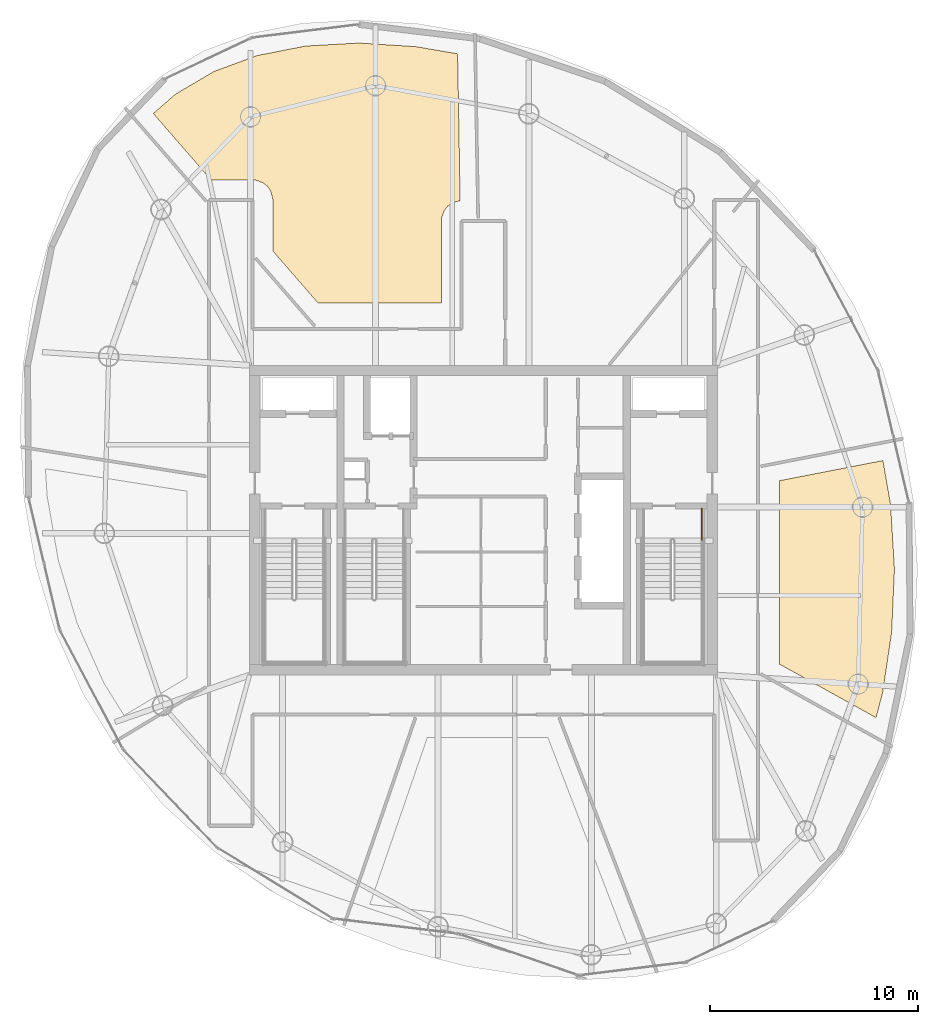
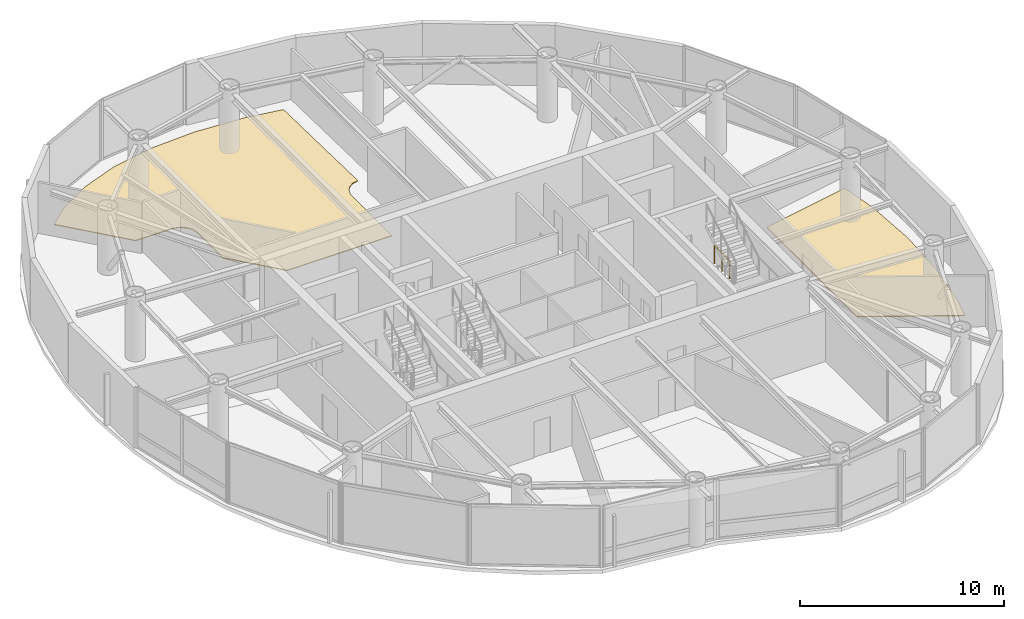
# One storey, part 21 of 21: 2 coverings, 1 railing.
"""IFC4 building model written with IfcOpenShell, lengths in metres."""

from ifc_helpers import new_model, si_unit, direction, frame, origin, origin_2d, place, context, subcontext, project, spatial, polyline, circle, outline, extrude, material, layer, layer_set, type_object, element, save


model = new_model("IFC4")

# Units and contexts
model_context = context("Model", 3, precision=1e-05, world=origin(), true_north=direction((0.0, 1.0)))
body_context = subcontext(model_context, "Body", "Model", "MODEL_VIEW")
ifc_project = project(units=[si_unit("LENGTHUNIT", "METRE"), si_unit("AREAUNIT", "SQUARE_METRE"), si_unit("VOLUMEUNIT", "CUBIC_METRE"), si_unit("PLANEANGLEUNIT", "RADIAN"), si_unit("MASSUNIT", "GRAM", prefix="KILO")], contexts=[model_context])

# Site, building, storey
site_placement = place(None, origin())
site = spatial("IfcSite", under=ifc_project, at=site_placement, CompositionType="ELEMENT")
building_placement = place(site_placement, origin())
building = spatial("IfcBuilding", under=site, at=building_placement, Name="Bramvorn Convention Spire", CompositionType="ELEMENT")
storey_placement = place(building_placement, frame((0.0, 0.0, 249.75)))
storey = spatial("IfcBuildingStorey", under=building, at=storey_placement, Name="L63", CompositionType="ELEMENT", Elevation=249.75)

# Coverings
ifc_material_1 = material(Name="Calcium-Sulphate Raised Access Office Floor", Category="steel")
ifc_layer = layer(ifc_material_1, 0.044921875)
ifc_layer_set = layer_set([ifc_layer], Name="Calcium-Sulphate Raised Access Office Floor - FLR-RAISED-45")
covering_type = type_object("IfcCoveringType", Name="FLR-RAISED-45", PredefinedType="FLOORING", material=ifc_layer_set)
covering_1_placement = place(storey_placement, origin())
element("IfcCovering", 1, at=covering_1_placement, inside=storey, type_object=covering_type, Name="L63 Conference Meeting Room 4 4 raised floor finish", PredefinedType="FLOORING", context=body_context, shape_type="SweptSolid", body=[
    extrude(outline(polyline([(24.89599609375, 42.3701171875), (27.03662109375, 42.360107421875), (27.3935546875, 42.23486328125), (27.62255859375, 42.047119140625), (27.779296875, 41.809326171875), (27.868408203125, 41.45361328125), (27.8701171875, 38.94873046875), (30.042236328125, 36.449951171875), (35.97998046875, 36.449951171875), (35.991455078125, 40.548095703125), (36.114990234375, 40.8935546875), (36.294189453125, 41.11474609375), (36.540771484375, 41.279296875), (36.881591796875, 41.366943359375), (36.75830078125, 48.432373046875), (34.761474609375, 48.77783203125), (32.013427734375, 48.952392578125), (29.451416015625, 48.80859375), (27.116943359375, 48.35009765625), (25.030517578125, 47.579833984375), (23.190673828125, 46.495849609375), (22.122314453125, 45.560791015625), (24.89599609375, 42.3701171875)])), origin(), (0.0, 0.0, 1.0), 0.044921875),
])
covering_2_placement = place(storey_placement, origin())
element("IfcCovering", 2, at=covering_2_placement, inside=storey, type_object=covering_type, Name="L63 Conference Meeting Room 1 10 raised floor finish", PredefinedType="FLOORING", context=body_context, shape_type="SweptSolid", body=[
    extrude(outline(polyline([(57.581787109375, 26.75732421875), (57.216552734375, 28.869384765625), (52.25, 27.904052734375), (52.25, 19.072998046875), (56.885498046875, 16.50341796875), (57.20361328125, 17.718505859375), (57.6337890625, 20.603759765625), (57.76953125, 23.642333984375), (57.581787109375, 26.75732421875)])), origin(), (0.0, 0.0, 1.0), 0.044921875),
])

# Railing
ifc_material_2 = material(Name="Painted Steel Balustrade & Guardrail", Category="steel")
railing_type = type_object("IfcRailingType", Name="RL-STAIR-GUARD-1100", PredefinedType="GUARDRAIL", material=ifc_material_2)
railing_placement = place(storey_placement, frame((48.5, 26.550048828125, 0.0)))
element("IfcRailing", 3, at=railing_placement, inside=storey, type_object=railing_type, Name="L63 ST2 stair guard 9", PredefinedType="GUARDRAIL", context=body_context, shape_type="SweptSolid", body=[
    extrude(circle(Radius=0.02392578125, at=origin_2d()), frame((0.0, 0.0, 1.076171875), z_axis=(0.0, -1.0, 0.0), x_axis=(1.0, 0.0, 0.0)), (0.0, 0.0, 1.0), 1.5),
    extrude(circle(Radius=0.02099609375, at=origin_2d()), origin(), (0.0, 0.0, 1.0), 1.052001953125),
    extrude(circle(Radius=0.02099609375, at=origin_2d()), frame((0.0, -0.75, 0.0)), (0.0, 0.0, 1.0), 1.052001953125),
    extrude(circle(Radius=0.02099609375, at=origin_2d()), frame((0.0, -1.5, 0.0)), (0.0, 0.0, 1.0), 1.052001953125),
])

save(model, "model.ifc")
